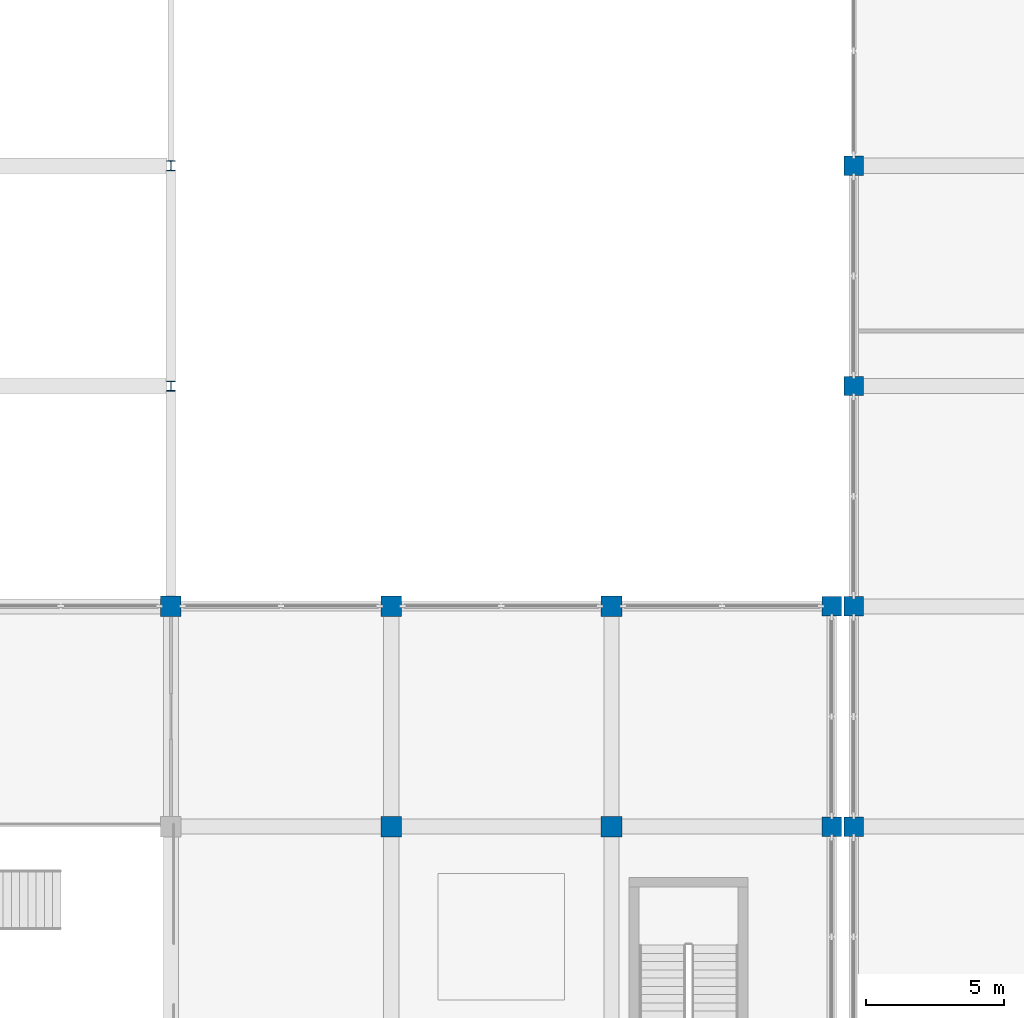
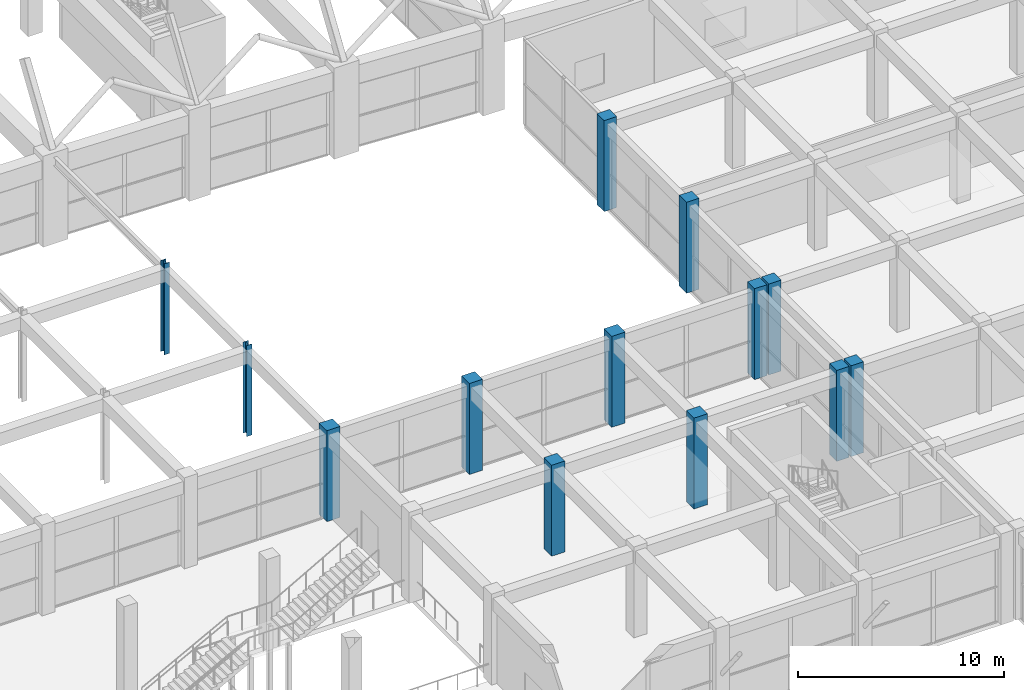
# One storey, part 7 of 69: 13 columns.
"""IFC4 building model written with IfcOpenShell, lengths in metres."""

import ifcopenshell
import ifcopenshell.guid

model = None  # the IFC model being written
_history = None  # IfcOwnerHistory: only IFC2X3 demands one
_inside = {}  # id of a spatial element -> (the spatial element, [elements in it])
_under = {}  # id of a project, library or spatial element -> (it, [spatial elements below it])
_declared = {}  # id of a project -> (the project, [libraries it declares])
_typed = {}  # id of a type object -> (the type object, [elements of that type])
_made_of = {}  # id of a material, layer set ... -> (it, [elements and type objects made of it])


def new_model(schema):
    """Start an empty IFC model of exactly this schema.

    Asked for "IFC4X3", IfcOpenShell would pick the latest addendum, in which some entities
    have other attributes; the version numbers below select the first issue.
    IFC2X3 requires an IfcOwnerHistory on every rooted entity: one is made here for all.
    """
    global model, _history
    if schema == "IFC4X3":
        model = ifcopenshell.file(schema_version=(4, 3, 0, 0))
    else:
        model = ifcopenshell.file(schema=schema)
    _inside.clear()
    _under.clear()
    _declared.clear()
    _typed.clear()
    _made_of.clear()
    _history = None
    if model.schema == "IFC2X3":
        org = make("IfcOrganization", Name="unknown")
        user = make(
            "IfcPersonAndOrganization",
            ThePerson=make("IfcPerson", FamilyName="unknown"),
            TheOrganization=org,
        )
        app = make(
            "IfcApplication",
            ApplicationDeveloper=org,
            Version="unknown",
            ApplicationFullName="unknown",
            ApplicationIdentifier="unknown",
        )
        _history = make(
            "IfcOwnerHistory",
            OwningUser=user,
            OwningApplication=app,
            ChangeAction="ADDED",
            CreationDate=0,
        )
    return model


def make(cls, **values):
    """One entity of the class cls with the attributes given. An attribute that is None is left unset."""
    return model.create_entity(
        cls, **{name: value for name, value in values.items() if value is not None}
    )


def rooted(cls, **values):
    """An entity with a GlobalId (a new one), such as an element, a storey or a relation."""
    return make(cls, GlobalId=ifcopenshell.guid.new(), OwnerHistory=_history, **values)


def si_unit(unit_type, name, prefix=None):
    """IfcSIUnit, for example si_unit("LENGTHUNIT", "METRE", prefix="MILLI")."""
    return make("IfcSIUnit", UnitType=unit_type, Prefix=prefix, Name=name)


def assignment(units):
    """IfcUnitAssignment: the units of a project."""
    return None if units is None else make("IfcUnitAssignment", Units=units)


def point(xyz):
    """IfcCartesianPoint."""
    return None if xyz is None else make("IfcCartesianPoint", Coordinates=xyz)


def direction(xyz):
    """IfcDirection."""
    return None if xyz is None else make("IfcDirection", DirectionRatios=xyz)


def frame(location, z_axis=None, x_axis=None):
    """IfcAxis2Placement3D, a coordinate frame: its origin and axes. An axis left out is left unset."""
    return make(
        "IfcAxis2Placement3D",
        Location=point(location),
        Axis=direction(z_axis),
        RefDirection=direction(x_axis),
    )


def frame_2d(location, x_axis=None):
    """IfcAxis2Placement2D, a coordinate frame in the plane: its origin and x axis."""
    return make(
        "IfcAxis2Placement2D", Location=point(location), RefDirection=direction(x_axis)
    )


def origin():
    """The frame at (0, 0, 0) with its axes left unset."""
    return frame((0.0, 0.0, 0.0))


def origin_2d():
    """The frame at (0, 0) in the plane with its x axis left unset."""
    return frame_2d((0.0, 0.0))


def place(relative_to, where):
    """IfcLocalPlacement: puts the frame where relative to a parent placement (None: the world)."""
    return make(
        "IfcLocalPlacement", PlacementRelTo=relative_to, RelativePlacement=where
    )


def context(
    kind, dimensions, precision=None, world=None, true_north=None, identifier=None
):
    """IfcGeometricRepresentationContext, for example the 3D "Model" context."""
    return make(
        "IfcGeometricRepresentationContext",
        ContextIdentifier=identifier,
        ContextType=kind,
        CoordinateSpaceDimension=dimensions,
        Precision=precision,
        WorldCoordinateSystem=world,
        TrueNorth=true_north,
    )


def subcontext(parent, identifier, kind, view, scale=None):
    """IfcGeometricRepresentationSubContext, for example "Body" below "Model"."""
    return make(
        "IfcGeometricRepresentationSubContext",
        ContextIdentifier=identifier,
        ContextType=kind,
        ParentContext=parent,
        TargetScale=scale,
        TargetView=view,
    )


def project(units=None, contexts=None):
    """IfcProject with its units and contexts."""
    return rooted(
        "IfcProject",
        Name="project",
        RepresentationContexts=contexts,
        UnitsInContext=assignment(units),
    )


def spatial(cls, under=None, at=None, **own):
    """A site, building, storey or space (cls), placed at a placement, below another one or the project."""
    s = rooted(cls, ObjectPlacement=at, **own)
    if under is not None:
        _under.setdefault(under.id(), (under, []))[1].append(s)
    return s


def profile(cls, at=None, kind="AREA", **sizes):
    """A parametric profile (cls). Its sizes go by their IFC names, for example OverallWidth=200.0."""
    return make(cls, ProfileType=kind, Position=at, **sizes)


def rectangle(**sizes):
    """IfcRectangleProfileDef."""
    return profile("IfcRectangleProfileDef", **sizes)


def i_section(**sizes):
    """IfcIShapeProfileDef."""
    return profile("IfcIShapeProfileDef", **sizes)


def extrude(swept, where, along, depth):
    """IfcExtrudedAreaSolid: the profile swept, set in the frame where, extruded along a direction by depth."""
    return make(
        "IfcExtrudedAreaSolid",
        SweptArea=swept,
        Position=where,
        ExtrudedDirection=direction(along),
        Depth=depth,
    )


def shape(context_of_items, identifier, shape_type, items):
    """IfcShapeRepresentation: the items that make up one representation, for example the "Body"."""
    return make(
        "IfcShapeRepresentation",
        ContextOfItems=context_of_items,
        RepresentationIdentifier=identifier,
        RepresentationType=shape_type,
        Items=items,
    )


def material(Name=None, Category=None):
    """IfcMaterial."""
    return make("IfcMaterial", Name=Name, Category=Category)


def material_profile(
    of_material, cross_section, Name=None, Category=None, Priority=None
):
    """IfcMaterialProfile: a cross section and its material."""
    return make(
        "IfcMaterialProfile",
        Name=Name,
        Material=of_material,
        Profile=cross_section,
        Priority=Priority,
        Category=Category,
    )


def profile_set(profiles, Name=None, composite=None):
    """IfcMaterialProfileSet."""
    return make(
        "IfcMaterialProfileSet",
        Name=Name,
        MaterialProfiles=profiles,
        CompositeProfile=composite,
    )


def made_of(thing, what):
    """Note that an element or type object is made of a material, layer set ...; save() writes the relation."""
    if what is not None:
        _made_of.setdefault(what.id(), (what, []))[1].append(thing)
    return thing


def type_object(cls, material=None, **own):
    """A type object (cls), such as IfcWallType, which elements share."""
    return made_of(rooted(cls, **own), material)


def element(
    cls,
    number,
    at=None,
    inside=None,
    cuts=None,
    type_object=None,
    material=None,
    context=None,
    identifier="Body",
    shape_type=None,
    held_by="IfcProductDefinitionShape",
    body=None,
    shapes=None,
    **own,
):
    """One element of the class cls, such as IfcWall. Its Tag is "e" and its number.

    at: its placement. inside: the storey or other place that contains it. cuts: it is an
    opening in that element (IfcRelVoidsElement). A single representation is given by context,
    identifier, shape_type and body (its items); several are given by shapes. held_by: the class
    of the entity that holds the representations. save() writes the other relations.
    """
    e = rooted(cls, Tag="e%d" % number, ObjectPlacement=at, **own)
    if body is not None:
        shapes = [shape(context, identifier, shape_type, body)]
    if shapes is not None:
        e.Representation = make(held_by, Representations=shapes)
    if inside is not None:
        _inside.setdefault(inside.id(), (inside, []))[1].append(e)
    if cuts is not None:
        rooted(
            "IfcRelVoidsElement", RelatingBuildingElement=cuts, RelatedOpeningElement=e
        )
    if type_object is not None:
        _typed.setdefault(type_object.id(), (type_object, []))[1].append(e)
    return made_of(e, material)


def aggregate(whole, parts):
    """IfcRelAggregates: a whole, such as a stair, and the parts it consists of."""
    return rooted("IfcRelAggregates", RelatingObject=whole, RelatedObjects=parts)


def save(model, path):
    """Write the relations noted so far, then the file.

    IfcRelAggregates (storeys below a building ...), IfcRelContainedInSpatialStructure (elements
    in a storey), IfcRelDefinesByType, IfcRelAssociatesMaterial and IfcRelDeclares: one each for
    every whole, place, type object, material and project.
    """
    for whole, parts in _under.values():
        aggregate(whole, parts)
    for where, things in _inside.values():
        rooted(
            "IfcRelContainedInSpatialStructure",
            RelatedElements=things,
            RelatingStructure=where,
        )
    for kind, things in _typed.values():
        rooted("IfcRelDefinesByType", RelatedObjects=things, RelatingType=kind)
    for what, things in _made_of.values():
        rooted("IfcRelAssociatesMaterial", RelatedObjects=things, RelatingMaterial=what)
    for by, libraries in _declared.values():
        rooted("IfcRelDeclares", RelatingContext=by, RelatedDefinitions=libraries)
    model.write(path)


model = new_model("IFC4")

# Units and contexts
model_context = context("Model", 3, precision=1e-05, world=origin(), true_north=direction((0.0, 1.0)))
body_context = subcontext(model_context, "Body", "Model", "MODEL_VIEW")
ifc_project = project(units=[si_unit("LENGTHUNIT", "METRE"), si_unit("AREAUNIT", "SQUARE_METRE"), si_unit("VOLUMEUNIT", "CUBIC_METRE"), si_unit("PLANEANGLEUNIT", "RADIAN"), si_unit("MASSUNIT", "GRAM", prefix="KILO")], contexts=[model_context])

# Site, building, storey
site_placement = place(None, origin())
site = spatial("IfcSite", under=ifc_project, at=site_placement, CompositionType="ELEMENT")
building_placement = place(site_placement, origin())
building = spatial("IfcBuilding", under=site, at=building_placement, Name="Kenh Van Central Station", CompositionType="ELEMENT")
storey_placement = place(building_placement, frame((0.0, 0.0, 5.39990234375)))
storey = spatial("IfcBuildingStorey", under=building, at=storey_placement, Name="L01", CompositionType="ELEMENT", Elevation=5.39990234375)

# Columns
ifc_material_1 = material(Name="Concrete C40/50", Category="concrete")
ifc_material_profile_1 = material_profile(ifc_material_1, rectangle(XDim=0.699951171875, YDim=0.699951171875, at=origin_2d()), Name="RC 700x700")
ifc_profile_set_1 = profile_set([ifc_material_profile_1], Name="Concrete C40/50")
column_type_1 = type_object("IfcColumnType", Name="COL-RC-700x700", PredefinedType="COLUMN", material=ifc_profile_set_1)
for number, where, z_axis, x_axis, name in (
    (1, (120.0, 32.0, 0.0), (0.0, 0.0, 1.0), (1.0, 0.0, 0.0), "L01 column CC-120-032"),
    (2, (120.0, 40.0, 0.0), (0.0, 0.0, 1.0), (1.0, 0.0, 0.0), "L01 column CC-120-040"),
    (3, (120.800048828125, 32.0, 0.0), (0.0, 0.0, 1.0), (1.0, 0.0, 0.0), "L01 column CE-1208-032"),
    (4, (120.800048828125, 40.0, 0.0), (0.0, 0.0, 1.0), (1.0, 0.0, 0.0), "L01 column CE-1208-040"),
    (5, (120.800048828125, 48.0, 0.0), (0.0, 0.0, 1.0), (1.0, 0.0, 0.0), "L01 column CE-1208-048"),
    (6, (120.800048828125, 56.0, 0.0), (0.0, 0.0, 1.0), (1.0, 0.0, 0.0), "L01 column CE-1208-056"),
):
    element("IfcColumn", number, at=place(storey_placement, frame(where, z_axis=z_axis, x_axis=x_axis)), inside=storey, type_object=column_type_1, Name=name, PredefinedType="COLUMN", context=body_context, shape_type="SweptSolid", body=[
        extrude(rectangle(XDim=0.699951171875, YDim=0.699951171875, at=origin_2d()), origin(), (0.0, 0.0, 1.0), 5.400146484375),
    ])
ifc_material_profile_2 = material_profile(ifc_material_1, rectangle(XDim=0.75, YDim=0.75, at=origin_2d()), Name="RC 750x750")
ifc_profile_set_2 = profile_set([ifc_material_profile_2], Name="Concrete C40/50")
column_type_2 = type_object("IfcColumnType", Name="COL-RC-750x750", PredefinedType="COLUMN", material=ifc_profile_set_2)
for number, where, z_axis, x_axis, name in (
    (7, (96.0, 40.0, 0.0), (0.0, 0.0, 1.0), (1.0, 0.0, 0.0), "L01 column CC-096-040"),
    (8, (104.0, 32.0, 0.0), (0.0, 0.0, 1.0), (1.0, 0.0, 0.0), "L01 column CC-104-032"),
    (9, (104.0, 40.0, 0.0), (0.0, 0.0, 1.0), (1.0, 0.0, 0.0), "L01 column CC-104-040"),
    (10, (112.0, 32.0, 0.0), (0.0, 0.0, 1.0), (1.0, 0.0, 0.0), "L01 column CC-112-032"),
    (11, (112.0, 40.0, 0.0), (0.0, 0.0, 1.0), (1.0, 0.0, 0.0), "L01 column CC-112-040"),
):
    element("IfcColumn", number, at=place(storey_placement, frame(where, z_axis=z_axis, x_axis=x_axis)), inside=storey, type_object=column_type_2, Name=name, PredefinedType="COLUMN", context=body_context, shape_type="SweptSolid", body=[
        extrude(rectangle(XDim=0.75, YDim=0.75, at=origin_2d()), origin(), (0.0, 0.0, 1.0), 5.400146484375),
    ])
ifc_material_2 = material(Name="Steel S355", Category="steel")
ifc_material_profile_3 = material_profile(ifc_material_2, i_section(OverallWidth=0.300048828125, OverallDepth=0.360107421875, WebThickness=0.012451171875, FlangeThickness=0.0224609375, FilletRadius=0.027099609375, at=origin_2d()), Name="HEB 360")
ifc_profile_set_3 = profile_set([ifc_material_profile_3], Name="Steel S355")
column_type_3 = type_object("IfcColumnType", Name="COL-STL-HEB360", PredefinedType="COLUMN", material=ifc_profile_set_3)
for number, where, z_axis, x_axis, name in (
    (12, (96.0, 48.0, 0.0), (0.0, 0.0, 1.0), (1.0, 0.0, 0.0), "L01 column CB-096-048"),
    (13, (96.0, 56.0, 0.0), (0.0, 0.0, 1.0), (1.0, 0.0, 0.0), "L01 column CB-096-056"),
):
    element("IfcColumn", number, at=place(storey_placement, frame(where, z_axis=z_axis, x_axis=x_axis)), inside=storey, type_object=column_type_3, Name=name, PredefinedType="COLUMN", context=body_context, shape_type="SweptSolid", body=[
        extrude(i_section(OverallWidth=0.300048828125, OverallDepth=0.360107421875, WebThickness=0.012451171875, FlangeThickness=0.0224609375, FilletRadius=0.027099609375, at=origin_2d()), origin(), (0.0, 0.0, 1.0), 5.400146484375),
    ])

save(model, "model.ifc")
